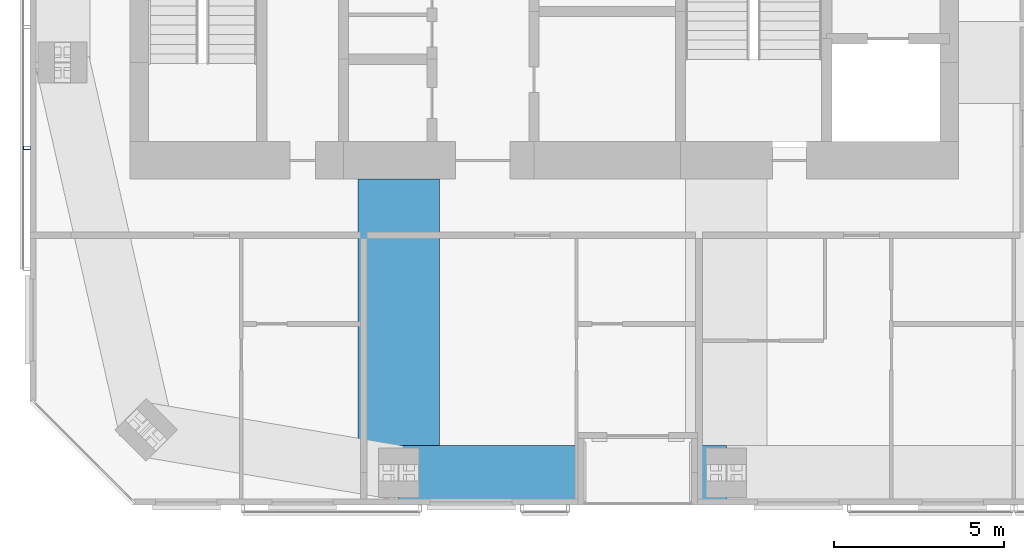
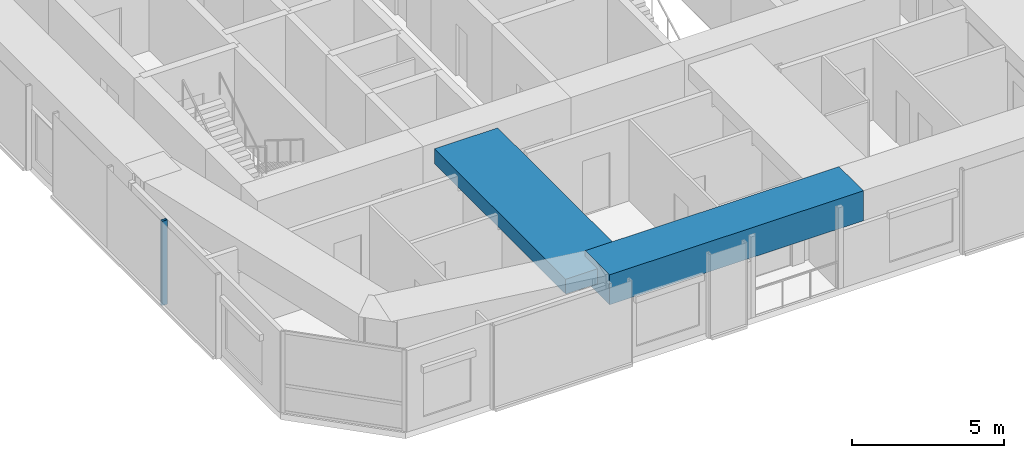
# One storey, part 3 of 20: 2 beams, 1 member, 1 element without a shape of its own.
"""IFC4 building model written with IfcOpenShell, lengths in metres."""

from ifc_helpers import new_model, si_unit, direction, frame, origin, origin_2d, place, context, subcontext, project, spatial, rectangle, hollow_rectangle, extrude, material, material_profile, profile_set, type_object, element, aggregate, save


model = new_model("IFC4")

# Units and contexts
model_context = context("Model", 3, precision=1e-05, world=origin(), true_north=direction((0.0, 1.0)))
body_context = subcontext(model_context, "Body", "Model", "MODEL_VIEW")
ifc_project = project(units=[si_unit("LENGTHUNIT", "METRE"), si_unit("AREAUNIT", "SQUARE_METRE"), si_unit("VOLUMEUNIT", "CUBIC_METRE"), si_unit("PLANEANGLEUNIT", "RADIAN"), si_unit("MASSUNIT", "GRAM", prefix="KILO")], contexts=[model_context])

# Site, building, storey
site_placement = place(None, origin())
site = spatial("IfcSite", under=ifc_project, at=site_placement, CompositionType="ELEMENT")
building_placement = place(site_placement, origin())
building = spatial("IfcBuilding", under=site, at=building_placement, Name="Jalousie Tower", CompositionType="ELEMENT")
storey_placement = place(building_placement, frame((0.0, 0.0, 242.449951171875)))
storey = spatial("IfcBuildingStorey", under=building, at=storey_placement, Name="L66", CompositionType="ELEMENT", Elevation=242.449951171875)

# Beams
ifc_material_1 = material(Name="Concrete f'c 40 MPa", Category="concrete")
ifc_material_profile_1 = material_profile(ifc_material_1, rectangle(XDim=1.60009765625, YDim=1.199951171875, at=origin_2d()), Name="RC 1600x1200")
ifc_profile_set_1 = profile_set([ifc_material_profile_1], Name="Concrete f'c 40 MPa")
beam_type_1 = type_object("IfcBeamType", Name="RC BEAM 1600x1200", PredefinedType="BEAM", material=ifc_profile_set_1)
beam_1_placement = place(storey_placement, frame((27.625, 0.949951171875, 2.900146484375), z_axis=(1.0, 0.0, 0.0), x_axis=(0.0, 1.0, 0.0)))
element("IfcBeam", 1, at=beam_1_placement, inside=storey, type_object=beam_type_1, Name="Edge band beam 02-03 under L67", PredefinedType="BEAM", context=body_context, shape_type="SweptSolid", body=[
    extrude(rectangle(XDim=1.60009765625, YDim=1.199951171875, at=origin_2d()), origin(), (0.0, 0.0, 1.0), 9.625),
])
ifc_material_2 = material(Name="Concrete f'c 40 MPa", Category="concrete")
ifc_material_profile_2 = material_profile(ifc_material_2, rectangle(XDim=2.39990234375, YDim=0.60009765625, at=origin_2d()), Name="RC 2400x600")
ifc_profile_set_2 = profile_set([ifc_material_profile_2], Name="Concrete f'c 40 MPa")
beam_type_2 = type_object("IfcBeamType", Name="RC BEAM 2400x600", PredefinedType="BEAM", material=ifc_profile_set_2)
beam_2_placement = place(storey_placement, frame((27.625, 0.949951171875, 2.9599609375), z_axis=(0.0, 1.0, 0.0), x_axis=(-1.0, 0.0, 0.0)))
element("IfcBeam", 2, at=beam_2_placement, inside=storey, type_object=beam_type_2, Name="Floor band beam under L67", PredefinedType="BEAM", context=body_context, shape_type="SweptSolid", body=[
    extrude(rectangle(XDim=2.39990234375, YDim=0.60009765625, at=origin_2d()), origin(), (0.0, 0.0, 1.0), 8.625),
])

# Curtain wall, member
ifc_material_3 = material(Name="Perforated aluminium sheet", Category="aluminium")
curtain_wall_type = type_object("IfcCurtainWallType", Name="SOLAR SCREEN SS-2", PredefinedType="USERDEFINED", material=ifc_material_3)
curtain_wall_placement = place(storey_placement, origin())
curtain_wall = element("IfcCurtainWall", 3, at=curtain_wall_placement, inside=storey, type_object=curtain_wall_type, Name="Solar screen L66", ObjectType="SOLAR SCREEN SS-2", PredefinedType="USERDEFINED")
ifc_material_4 = material(Name="Steel ASTM A500 Grade C", Category="steel")
ifc_material_profile_3 = material_profile(ifc_material_4, hollow_rectangle(XDim=0.1015625, YDim=0.203125, WallThickness=0.0078125, at=origin_2d()), Name="HSS8X4X5/16")
ifc_profile_set_3 = profile_set([ifc_material_profile_3], Name="Steel ASTM A500 Grade C")
member_type = type_object("IfcMemberType", Name="SOLAR SCREEN SS-2 MULLION", PredefinedType="MULLION", material=ifc_profile_set_3)
member_placement = place(storey_placement, frame((16.703369140625, 10.4921875, -0.119873046875), z_axis=(0.0, 0.0, 1.0), x_axis=(0.0, -1.0, 0.0)))
member = element("IfcMember", 4, at=member_placement, type_object=member_type, Name="SS2 post 3", PredefinedType="MULLION", context=body_context, shape_type="SweptSolid", body=[
    extrude(hollow_rectangle(XDim=0.1015625, YDim=0.203125, WallThickness=0.0078125, at=origin_2d()), origin(), (0.0, 0.0, 1.0), 3.3798828125),
])
aggregate(curtain_wall, [member])

save(model, "model.ifc")
